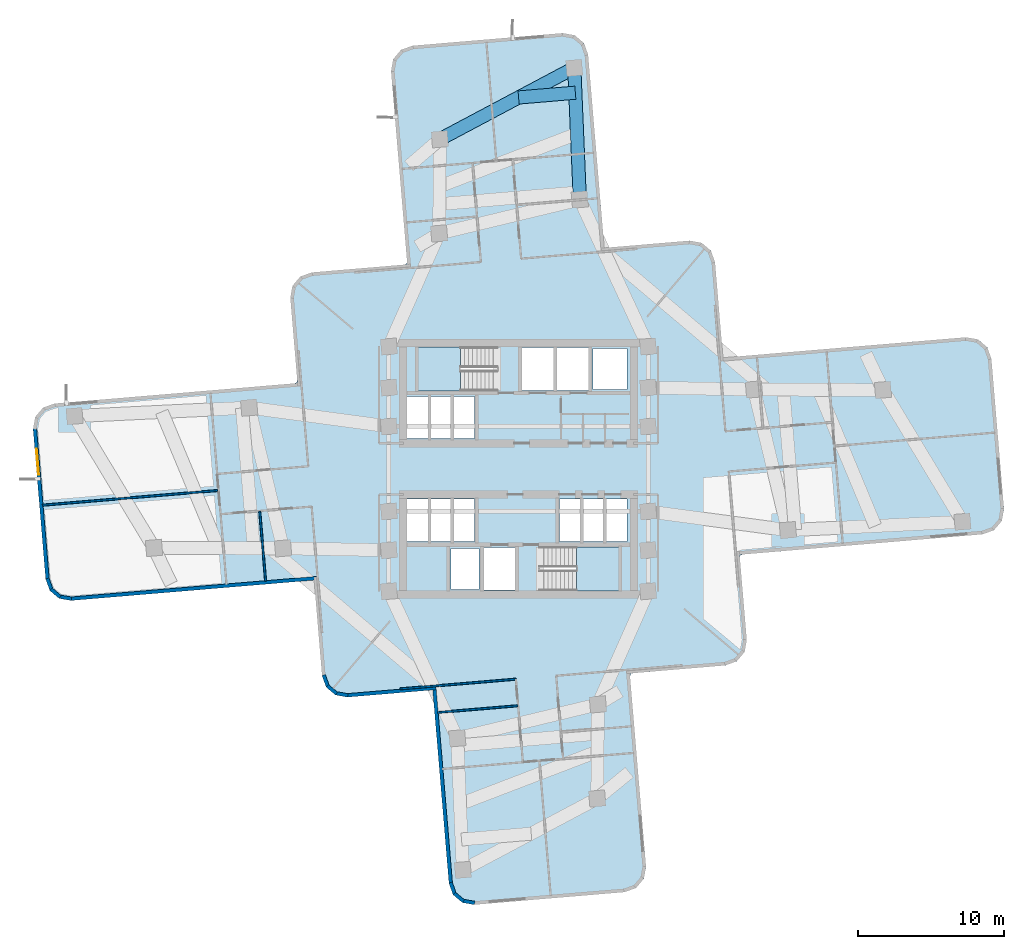
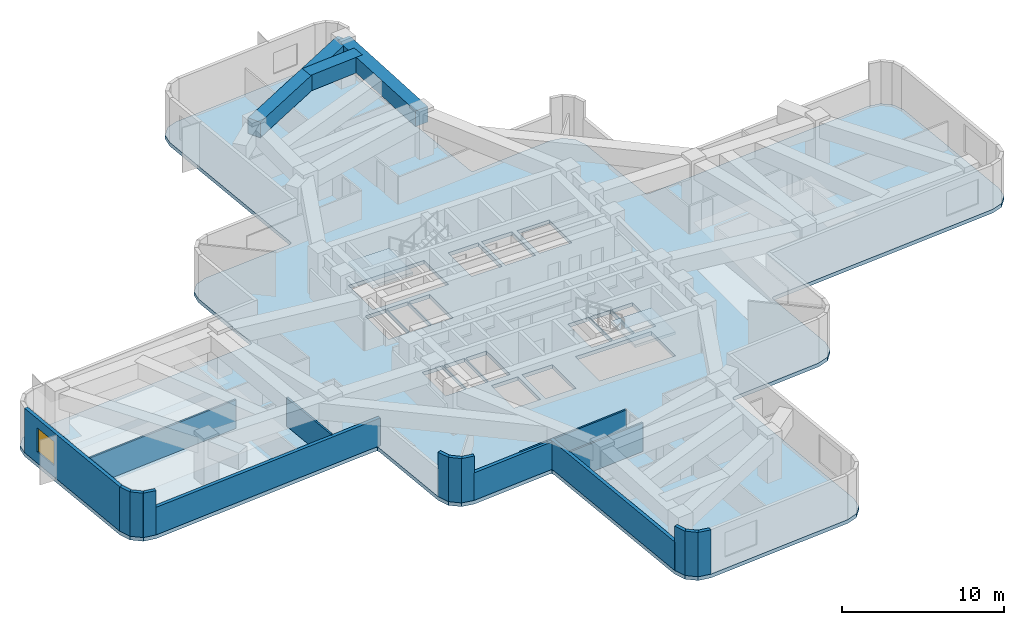
# One storey, part 2 of 11: 17 walls, 3 beams, 3 slabs, 1 window, 1 opening, 2 elements without a shape of their own.
"""IFC4 building model written with IfcOpenShell, lengths in metres."""

from ifc_helpers import new_model, si_unit, direction, frame, frame_2d, origin, origin_2d, place, context, subcontext, project, spatial, polyline, rectangle, outline, extrude, material, layer, layer_set, material_profile, profile_set, type_object, element, fill, aggregate, save


model = new_model("IFC4")

# Units and contexts
model_context = context("Model", 3, precision=1e-05, world=origin(), true_north=direction((0.0, 1.0)))
body_context = subcontext(model_context, "Body", "Model", "MODEL_VIEW")
ifc_project = project(units=[si_unit("LENGTHUNIT", "METRE"), si_unit("AREAUNIT", "SQUARE_METRE"), si_unit("VOLUMEUNIT", "CUBIC_METRE"), si_unit("PLANEANGLEUNIT", "RADIAN"), si_unit("MASSUNIT", "GRAM", prefix="KILO")], contexts=[model_context])

# Site, building, storey
site_placement = place(None, origin())
site = spatial("IfcSite", under=ifc_project, at=site_placement, CompositionType="ELEMENT")
building_placement = place(site_placement, origin())
building = spatial("IfcBuilding", under=site, at=building_placement, Name="Solmarez Civic Tower", CompositionType="ELEMENT")
storey_placement = place(building_placement, frame((0.0, 0.0, 64.080078125)))
storey = spatial("IfcBuildingStorey", under=building, at=storey_placement, Name="L16", CompositionType="ELEMENT", Elevation=64.080078125)

# Beams
ifc_material_1 = material(Name="Concrete C60/75", Category="concrete")
ifc_material_profile = material_profile(ifc_material_1, rectangle(XDim=0.89990234375, YDim=1.179931640625, at=origin_2d()), Name="RC900X1180")
ifc_profile_set = profile_set([ifc_material_profile], Name="Concrete C60/75")
beam_type = type_object("IfcBeamType", Name="BM-TG-RC900X1180", PredefinedType="USERDEFINED", material=ifc_profile_set)
beam_1_placement = place(storey_placement, frame((4.18408203125, 18.39111328125, 2.75), z_axis=(-0.041911499832, 0.999121327058, 0.0), x_axis=(-0.999121327058, -0.041911499832, 0.0)))
element("IfcBeam", 1, at=beam_1_placement, inside=storey, type_object=beam_type, Name="L16 Transfer Girder BM-L16-NA-R2A", ObjectType="TRANSFER_GIRDER", PredefinedType="USERDEFINED", context=body_context, shape_type="SweptSolid", body=[
    extrude(rectangle(XDim=0.89990234375, YDim=1.179931640625, at=origin_2d()), origin(), (0.0, 0.0, 1.0), 8.999755859375),
])
beam_2_placement = place(storey_placement, frame((3.806884765625, 27.383056640625, 2.75), z_axis=(-0.883129404808, -0.469129464394, 0.0), x_axis=(0.469129464394, -0.883129404808, 0.0)))
element("IfcBeam", 2, at=beam_2_placement, inside=storey, type_object=beam_type, Name="L16 Transfer Girder BM-L16-NA-T2", ObjectType="TRANSFER_GIRDER", PredefinedType="USERDEFINED", context=body_context, shape_type="SweptSolid", body=[
    extrude(rectangle(XDim=0.89990234375, YDim=1.179931640625, at=origin_2d()), origin(), (0.0, 0.0, 1.0), 10.3935546875),
])
beam_3_placement = place(storey_placement, frame((3.8779296875, 25.68701171875, 2.75), z_axis=(-0.996483143755, -0.083793461635, 0.0), x_axis=(0.083793461635, -0.996483143755, 0.0)))
element("IfcBeam", 3, at=beam_3_placement, inside=storey, type_object=beam_type, Name="L16 Transfer Girder TG-L16-NA21", ObjectType="TRANSFER_GIRDER", PredefinedType="USERDEFINED", context=body_context, shape_type="SweptSolid", body=[
    extrude(rectangle(XDim=0.89990234375, YDim=1.179931640625, at=origin_2d()), origin(), (0.0, 0.0, 1.0), 3.8896484375),
])

# Stair, slab
ifc_material_2 = material(Name="Concrete C50/60", Category="concrete")
stair_type = type_object("IfcStairType", Name="STAIR-DOGLEG-140W-20R-1800", PredefinedType="HALF_TURN_STAIR", material=ifc_material_2)
stair_1_placement = place(storey_placement, origin())
stair_1 = element("IfcStair", 4, at=stair_1_placement, inside=storey, type_object=stair_type, Name="L16 North Core Protected Exit Stair ST-1", PredefinedType="HALF_TURN_STAIR")
ifc_layer_1 = layer(ifc_material_2, 0.199951171875)
ifc_layer_set_1 = layer_set([ifc_layer_1], Name="Concrete C50/60")
slab_type_1 = type_object("IfcSlabType", Name="SLAB-LANDING-200", PredefinedType="LANDING", material=ifc_layer_set_1)
slab_1_placement = place(storey_placement, frame((0.0, 0.0, 1.599853515625)))
slab_1 = element("IfcSlab", 5, at=slab_1_placement, type_object=slab_type_1, Name="ST-1 landing 1", PredefinedType="LANDING", context=body_context, shape_type="SweptSolid", body=[
    extrude(outline(polyline([(-3.969970703125, 8.320068359375), (-6.85009765625, 8.320068359375), (-6.85009765625, 5.320068359375), (-3.969970703125, 5.320068359375), (-3.969970703125, 8.320068359375)])), origin(), (0.0, 0.0, 1.0), 0.199951171875),
])
aggregate(stair_1, [slab_1])

stair_2_placement = place(storey_placement, origin())
stair_2 = element("IfcStair", 6, at=stair_2_placement, inside=storey, type_object=stair_type, Name="L16 South Core Protected Exit Stair ST-2", PredefinedType="HALF_TURN_STAIR")
slab_2_placement = place(storey_placement, frame((0.0, 0.0, 1.599853515625)))
slab_2 = element("IfcSlab", 7, at=slab_2_placement, type_object=slab_type_1, Name="ST-2 landing 1", PredefinedType="LANDING", context=body_context, shape_type="SweptSolid", body=[
    extrude(outline(polyline([(3.969970703125, -8.320068359375), (6.85009765625, -8.320068359375), (6.85009765625, -5.320068359375), (3.969970703125, -5.320068359375), (3.969970703125, -8.320068359375)])), origin(), (0.0, 0.0, 1.0), 0.199951171875),
])
aggregate(stair_2, [slab_2])

# Slab
ifc_layer_2 = layer(ifc_material_2, 0.280029296875)
ifc_layer_set_2 = layer_set([ifc_layer_2], Name="Concrete C50/60")
slab_type_2 = type_object("IfcSlabType", Name="SLAB-TOWER-280", PredefinedType="FLOOR", material=ifc_layer_set_2)
slab_3_placement = place(storey_placement, frame((0.0, 0.0, -0.280029296875)))
element("IfcSlab", 8, at=slab_3_placement, inside=storey, type_object=slab_type_2, Name="L16 Structural Slab", PredefinedType="FLOOR", context=body_context, shape_type="SweptSolid", body=[
    extrude(outline(polyline([(-13.946044921875, -7.804931640625), (-13.4150390625, -14.1220703125), (-13.135009765625, -14.90087890625), (-12.501953125, -15.43603515625), (-11.68701171875, -15.5830078125), (-6.06689453125, -15.111083984375), (-5.89794921875, -15.14111328125), (-5.840087890625, -15.302978515625), (-4.7490234375, -28.297119140625), (-4.468017578125, -29.075927734375), (-3.8359375, -29.610107421875), (-3.02099609375, -29.757080078125), (7.242919921875, -28.89501953125), (8.02294921875, -28.614990234375), (8.556884765625, -27.98193359375), (8.7041015625, -27.1669921875), (7.613037109375, -14.173095703125), (7.64306640625, -14.00390625), (7.804931640625, -13.946044921875), (14.1220703125, -13.4150390625), (14.90087890625, -13.135009765625), (15.43603515625, -12.501953125), (15.5830078125, -11.68701171875), (15.111083984375, -6.06689453125), (15.14111328125, -5.89794921875), (15.302978515625, -5.840087890625), (31.68505859375, -4.464111328125), (32.464111328125, -4.18408203125), (32.9990234375, -3.551025390625), (33.14501953125, -2.736083984375), (32.282958984375, 7.528076171875), (32.0029296875, 8.306884765625), (31.3701171875, 8.842041015625), (30.554931640625, 8.988037109375), (14.173095703125, 7.613037109375), (14.00390625, 7.64306640625), (13.946044921875, 7.804931640625), (13.4150390625, 14.1220703125), (13.135009765625, 14.90087890625), (12.501953125, 15.43603515625), (11.68701171875, 15.5830078125), (6.06689453125, 15.111083984375), (5.89794921875, 15.14111328125), (5.840087890625, 15.302978515625), (4.7490234375, 28.297119140625), (4.468017578125, 29.075927734375), (3.8359375, 29.610107421875), (3.02099609375, 29.757080078125), (-7.242919921875, 28.89501953125), (-8.02294921875, 28.614990234375), (-8.556884765625, 27.98193359375), (-8.7041015625, 27.1669921875), (-7.613037109375, 14.173095703125), (-7.64306640625, 14.00390625), (-7.804931640625, 13.946044921875), (-14.1220703125, 13.4150390625), (-14.90087890625, 13.135009765625), (-15.43603515625, 12.501953125), (-15.5830078125, 11.68701171875), (-15.111083984375, 6.06689453125), (-15.14111328125, 5.89794921875), (-15.302978515625, 5.840087890625), (-31.68505859375, 4.464111328125), (-32.464111328125, 4.18408203125), (-32.9990234375, 3.551025390625), (-33.14501953125, 2.736083984375), (-32.282958984375, -7.528076171875), (-32.0029296875, -8.306884765625), (-31.3701171875, -8.842041015625), (-30.554931640625, -8.988037109375), (-14.173095703125, -7.613037109375), (-14.00390625, -7.64306640625), (-13.946044921875, -7.804931640625)]), holes=[polyline([(-1.449951171875, 8.320068359375), (-6.85009765625, 8.320068359375), (-6.85009765625, 5.320068359375), (-1.449951171875, 5.320068359375), (-1.449951171875, 8.320068359375)]), polyline([(1.449951171875, -8.320068359375), (6.85009765625, -8.320068359375), (6.85009765625, -5.320068359375), (1.449951171875, -5.320068359375), (1.449951171875, -8.320068359375)]), polyline([(0.219970703125, 5.360107421875), (2.3798828125, 5.360107421875), (2.3798828125, 8.280029296875), (0.219970703125, 8.280029296875), (0.219970703125, 5.360107421875)]), polyline([(2.6201171875, 5.360107421875), (4.780029296875, 5.360107421875), (4.780029296875, 8.280029296875), (2.6201171875, 8.280029296875), (2.6201171875, 5.360107421875)]), polyline([(-2.3798828125, -8.280029296875), (-0.219970703125, -8.280029296875), (-0.219970703125, -5.360107421875), (-2.3798828125, -5.360107421875), (-2.3798828125, -8.280029296875)]), polyline([(2.800048828125, -4.9599609375), (4.280029296875, -4.9599609375), (4.280029296875, -2.06005859375), (2.800048828125, -2.06005859375), (2.800048828125, -4.9599609375)]), polyline([(4.360107421875, -4.9599609375), (5.840087890625, -4.9599609375), (5.840087890625, -2.06005859375), (4.360107421875, -2.06005859375), (4.360107421875, -4.9599609375)]), polyline([(5.919921875, -4.9599609375), (7.39990234375, -4.9599609375), (7.39990234375, -2.06005859375), (5.919921875, -2.06005859375), (5.919921875, -4.9599609375)]), polyline([(-7.60009765625, -4.9599609375), (-6.1201171875, -4.9599609375), (-6.1201171875, -2.06005859375), (-7.60009765625, -2.06005859375), (-7.60009765625, -4.9599609375)]), polyline([(-6.0400390625, -4.9599609375), (-4.56005859375, -4.9599609375), (-4.56005859375, -2.06005859375), (-6.0400390625, -2.06005859375), (-6.0400390625, -4.9599609375)]), polyline([(-4.47998046875, -4.9599609375), (-3.0, -4.9599609375), (-3.0, -2.06005859375), (-4.47998046875, -2.06005859375), (-4.47998046875, -4.9599609375)]), polyline([(-7.60009765625, 2.06005859375), (-6.1201171875, 2.06005859375), (-6.1201171875, 4.9599609375), (-7.60009765625, 4.9599609375), (-7.60009765625, 2.06005859375)]), polyline([(-6.0400390625, 2.06005859375), (-4.56005859375, 2.06005859375), (-4.56005859375, 4.9599609375), (-6.0400390625, 4.9599609375), (-6.0400390625, 2.06005859375)]), polyline([(-4.47998046875, 2.06005859375), (-3.0, 2.06005859375), (-3.0, 4.9599609375), (-4.47998046875, 4.9599609375), (-4.47998046875, 2.06005859375)]), polyline([(5.10009765625, 5.419921875), (7.39990234375, 5.419921875), (7.39990234375, 8.219970703125), (5.10009765625, 8.219970703125), (5.10009765625, 5.419921875)]), polyline([(-4.60009765625, -8.219970703125), (-2.699951171875, -8.219970703125), (-2.699951171875, -5.419921875), (-4.60009765625, -5.419921875), (-4.60009765625, -8.219970703125)])]), origin(), (0.0, 0.0, 1.0), 0.280029296875),
])

# Walls
ifc_material_3 = material(Name="Precast concrete C40/50", Category="concrete")
ifc_layer_3 = layer(ifc_material_3, 0.239990234375)
ifc_layer_set_3 = layer_set([ifc_layer_3], Name="Precast concrete C40/50")
wall_type_1 = type_object("IfcWallType", Name="WALL-EXT-240", PredefinedType="SOLIDWALL", material=ifc_layer_set_3)
wall_1_placement = place(storey_placement, frame((-13.758056640625, -7.4580078125, 0.0), z_axis=(0.0, 0.0, 1.0), x_axis=(-0.996498704409, -0.083608205999, 0.0)))
element("IfcWall", 9, at=wall_1_placement, inside=storey, type_object=wall_type_1, Name="L16 Exterior Precast Wall 2", PredefinedType="SOLIDWALL", context=body_context, shape_type="SweptSolid", body=[
    extrude(rectangle(XDim=16.875, YDim=0.239990234375, at=frame_2d((8.4375, 0.0))), origin(), (0.0, 0.0, 1.0), 2.072021484375),
])
wall_2_placement = place(storey_placement, frame((-30.52392578125, -8.87109375, 0.0), z_axis=(0.0, 0.0, 1.0), x_axis=(-0.98444754165, 0.175678791378, 0.0)))
element("IfcWall", 10, at=wall_2_placement, inside=storey, type_object=wall_type_1, Name="L16 Exterior Precast Wall 3", PredefinedType="SOLIDWALL", context=body_context, shape_type="SweptSolid", body=[
    extrude(rectangle(XDim=0.8310546875, YDim=0.239990234375, at=frame_2d((0.41552734375, 0.0))), origin(), (0.0, 0.0, 1.0), 3.33984375),
])
wall_3_placement = place(storey_placement, frame((-31.298095703125, -8.7451171875, 0.0), z_axis=(0.0, 0.0, 1.0), x_axis=(-0.764000342655, 0.645215837083, 0.0)))
element("IfcWall", 11, at=wall_3_placement, inside=storey, type_object=wall_type_1, Name="L16 Exterior Precast Wall 4", PredefinedType="SOLIDWALL", context=body_context, shape_type="SweptSolid", body=[
    extrude(rectangle(XDim=0.81396484375, YDim=0.239990234375, at=frame_2d((0.406982421875, 0.0))), origin(), (0.0, 0.0, 1.0), 3.33984375),
])
wall_4_placement = place(storey_placement, frame((-31.89306640625, -8.260009765625, 0.0), z_axis=(0.0, 0.0, 1.0), x_axis=(-0.337136933599, 0.941455621898, 0.0)))
element("IfcWall", 12, at=wall_4_placement, inside=storey, type_object=wall_type_1, Name="L16 Exterior Precast Wall 5", PredefinedType="SOLIDWALL", context=body_context, shape_type="SweptSolid", body=[
    extrude(rectangle(XDim=0.83056640625, YDim=0.239990234375, at=frame_2d((0.415283203125, 0.0))), origin(), (0.0, 0.0, 1.0), 3.33984375),
])

# Wall, opening, window
wall_5_placement = place(storey_placement, frame((-32.1630859375, -7.527099609375, 0.0), z_axis=(0.0, 0.0, 1.0), x_axis=(-0.083619213047, 0.996497780835, 0.0)))
wall_5 = element("IfcWall", 13, at=wall_5_placement, inside=storey, type_object=wall_type_1, Name="L16 Exterior Precast Wall 6", PredefinedType="SOLIDWALL", context=body_context, shape_type="SweptSolid", body=[
    extrude(rectangle(XDim=10.318115234375, YDim=0.239990234375, at=frame_2d((5.1591796875, 0.0))), origin(), (0.0, 0.0, 1.0), 3.33984375),
])
opening_placement = place(wall_5_placement, frame((7.14794921875, 0.0, 0.85009765625)))
opening = element("IfcOpeningElement", 14, at=opening_placement, cuts=wall_5, Name="Opening W-08", PredefinedType="OPENING", context=body_context, shape_type="SweptSolid", body=[
    extrude(rectangle(XDim=1.800048828125, YDim=1.800048828125, at=frame_2d((0.89990234375, 0.89990234375))), frame((0.0, 0.1298828125, 0.0), z_axis=(0.0, -1.0, 0.0), x_axis=(1.0, 0.0, 0.0)), (0.0, 0.0, 1.0), 0.260009765625),
])
ifc_material_4 = material(Name="Solar Control Bronze-Tinted Insulating Glass", Category="glass")
window_type = type_object("IfcWindowType", Name="WIN-1800X1800", PartitioningType="SINGLE_PANEL", PredefinedType="WINDOW", material=ifc_material_4)
window_placement = place(opening_placement, origin())
window = element("IfcWindow", 15, at=window_placement, inside=storey, type_object=window_type, Name="L16 Exterior Facade Window 6", OverallHeight=1.800048828125, OverallWidth=1.800048828125, PartitioningType="SINGLE_PANEL", PredefinedType="WINDOW", context=body_context, shape_type="SweptSolid", body=[
    extrude(rectangle(XDim=1.800048828125, YDim=1.800048828125, at=frame_2d((0.89990234375, 0.89990234375))), frame((0.0, 0.030029296875, 0.0), z_axis=(0.0, -1.0, 0.0), x_axis=(1.0, 0.0, 0.0)), (0.0, 0.0, 1.0), 0.06005859375),
])
fill(opening, window)

# Walls
wall_6_placement = place(storey_placement, frame((-2.989990234375, -29.639892578125, 0.0), z_axis=(0.0, 0.0, 1.0), x_axis=(-0.98444754165, 0.175678791378, 0.0)))
element("IfcWall", 16, at=wall_6_placement, inside=storey, type_object=wall_type_1, Name="L16 Exterior Precast Wall 61", PredefinedType="SOLIDWALL", context=body_context, shape_type="SweptSolid", body=[
    extrude(rectangle(XDim=0.8310546875, YDim=0.239990234375, at=frame_2d((0.41552734375, 0.0))), origin(), (0.0, 0.0, 1.0), 3.33984375),
])
wall_7_placement = place(storey_placement, frame((-3.763916015625, -29.513916015625, 0.0), z_axis=(0.0, 0.0, 1.0), x_axis=(-0.763773335426, 0.645484540553, 0.0)))
element("IfcWall", 17, at=wall_7_placement, inside=storey, type_object=wall_type_1, Name="L16 Exterior Precast Wall 62", PredefinedType="SOLIDWALL", context=body_context, shape_type="SweptSolid", body=[
    extrude(rectangle(XDim=0.813232421875, YDim=0.239990234375, at=frame_2d((0.40673828125, 0.0))), origin(), (0.0, 0.0, 1.0), 3.33984375),
])
wall_8_placement = place(storey_placement, frame((-4.35791015625, -29.029052734375, 0.0), z_axis=(0.0, 0.0, 1.0), x_axis=(-0.338178397423, 0.941082021673, 0.0)))
element("IfcWall", 18, at=wall_8_placement, inside=storey, type_object=wall_type_1, Name="L16 Exterior Precast Wall 63", PredefinedType="SOLIDWALL", context=body_context, shape_type="SweptSolid", body=[
    extrude(rectangle(XDim=0.8310546875, YDim=0.239990234375, at=frame_2d((0.41552734375, 0.0))), origin(), (0.0, 0.0, 1.0), 3.33984375),
])
wall_9_placement = place(storey_placement, frame((-4.62890625, -28.2958984375, 0.0), z_axis=(0.0, 0.0, 1.0), x_axis=(-0.083649723304, 0.996495220155, 0.0)))
element("IfcWall", 19, at=wall_9_placement, inside=storey, type_object=wall_type_1, Name="L16 Exterior Precast Wall 64", PredefinedType="SOLIDWALL", context=body_context, shape_type="SweptSolid", body=[
    extrude(rectangle(XDim=13.47509765625, YDim=0.239990234375, at=frame_2d((6.737548828125, 0.0))), origin(), (0.0, 0.0, 1.0), 2.15185546875),
])
wall_10_placement = place(storey_placement, frame((-5.652099609375, -14.9560546875, 0.0), z_axis=(0.0, 0.0, 1.0), x_axis=(-0.996497087711, -0.083627472659, 0.0)))
element("IfcWall", 20, at=wall_10_placement, inside=storey, type_object=wall_type_1, Name="L16 Exterior Precast Wall 67", PredefinedType="SOLIDWALL", context=body_context, shape_type="SweptSolid", body=[
    extrude(rectangle(XDim=6.0751953125, YDim=0.239990234375, at=frame_2d((3.03759765625, 0.0))), origin(), (0.0, 0.0, 1.0), 2.072021484375),
])
wall_11_placement = place(storey_placement, frame((-11.656005859375, -15.466064453125, 0.0), z_axis=(0.0, 0.0, 1.0), x_axis=(-0.98444754165, 0.175678791378, 0.0)))
element("IfcWall", 21, at=wall_11_placement, inside=storey, type_object=wall_type_1, Name="L16 Exterior Precast Wall 68", PredefinedType="SOLIDWALL", context=body_context, shape_type="SweptSolid", body=[
    extrude(rectangle(XDim=0.8310546875, YDim=0.239990234375, at=frame_2d((0.41552734375, 0.0))), origin(), (0.0, 0.0, 1.0), 3.33984375),
])
wall_12_placement = place(storey_placement, frame((-12.429931640625, -15.340087890625, 0.0), z_axis=(0.0, 0.0, 1.0), x_axis=(-0.763534028842, 0.645767595037, 0.0)))
element("IfcWall", 22, at=wall_12_placement, inside=storey, type_object=wall_type_1, Name="L16 Exterior Precast Wall 69", PredefinedType="SOLIDWALL", context=body_context, shape_type="SweptSolid", body=[
    extrude(rectangle(XDim=0.814697265625, YDim=0.239990234375, at=frame_2d((0.4072265625, 0.0))), origin(), (0.0, 0.0, 1.0), 3.33984375),
])
wall_13_placement = place(storey_placement, frame((-13.02490234375, -14.85400390625, 0.0), z_axis=(0.0, 0.0, 1.0), x_axis=(-0.337136933599, 0.941455621898, 0.0)))
element("IfcWall", 23, at=wall_13_placement, inside=storey, type_object=wall_type_1, Name="L16 Exterior Precast Wall 70", PredefinedType="SOLIDWALL", context=body_context, shape_type="SweptSolid", body=[
    extrude(rectangle(XDim=0.83056640625, YDim=0.239990234375, at=frame_2d((0.415283203125, 0.0))), origin(), (0.0, 0.0, 1.0), 3.33984375),
])
ifc_material_5 = material(Name="Gypsum Board Acoustic Steel-Stud Partition", Category="steel")
ifc_layer_4 = layer(ifc_material_5, 0.1201171875)
ifc_layer_set_4 = layer_set([ifc_layer_4], Name="Gypsum Board Acoustic Steel-Stud Partition")
wall_type_2 = type_object("IfcWallType", Name="WALL-INT-PART-120", PredefinedType="PARTITIONING", material=ifc_layer_set_4)
wall_14_placement = place(storey_placement, frame((-17.669921875, -2.888916015625, 0.0), z_axis=(0.0, 0.0, 1.0), x_axis=(0.083605906161, -0.996498897368, 0.0)))
element("IfcWall", 24, at=wall_14_placement, inside=storey, type_object=wall_type_2, Name="L16 Interior Partition PT-L16-W-LM", PredefinedType="PARTITIONING", context=body_context, shape_type="SweptSolid", body=[
    extrude(rectangle(XDim=4.794921875, YDim=0.1201171875, at=frame_2d((2.3974609375, 0.0))), origin(), (0.0, 0.0, 1.0), 2.15185546875),
])
wall_15_placement = place(storey_placement, frame((-20.5390625, -1.47412109375, 0.0), z_axis=(0.0, 0.0, 1.0), x_axis=(-0.996497343043, -0.083624430094, 0.0)))
element("IfcWall", 25, at=wall_15_placement, inside=storey, type_object=wall_type_2, Name="L16 Interior Partition PT-L16-W-TM", PredefinedType="PARTITIONING", context=body_context, shape_type="SweptSolid", body=[
    extrude(rectangle(XDim=12.0048828125, YDim=0.1201171875, at=frame_2d((6.00244140625, 0.0))), origin(), (0.0, 0.0, 1.0), 2.15185546875),
])
wall_16_placement = place(storey_placement, frame((-8.091064453125, -15.02001953125, 0.0), z_axis=(0.0, 0.0, 1.0), x_axis=(0.99649495528, 0.083652878615, 0.0)))
element("IfcWall", 26, at=wall_16_placement, inside=storey, type_object=wall_type_2, Name="L16 Interior Partition PT-L16-S-EFR", PredefinedType="PARTITIONING", context=body_context, shape_type="SweptSolid", body=[
    extrude(rectangle(XDim=7.949951171875, YDim=0.1201171875, at=frame_2d((3.97509765625, 0.0))), origin(), (0.0, 0.0, 1.0), 2.072021484375),
])
wall_17_placement = place(storey_placement, frame((-5.52294921875, -16.6298828125, 0.0), z_axis=(0.0, 0.0, 1.0), x_axis=(0.996505502233, 0.083527145401, 0.0)))
element("IfcWall", 27, at=wall_17_placement, inside=storey, type_object=wall_type_2, Name="L16 Interior Partition PT-L16-S-RM", PredefinedType="PARTITIONING", context=body_context, shape_type="SweptSolid", body=[
    extrude(rectangle(XDim=5.4951171875, YDim=0.1201171875, at=frame_2d((2.74755859375, 0.0))), origin(), (0.0, 0.0, 1.0), 2.15185546875),
])

save(model, "model.ifc")
